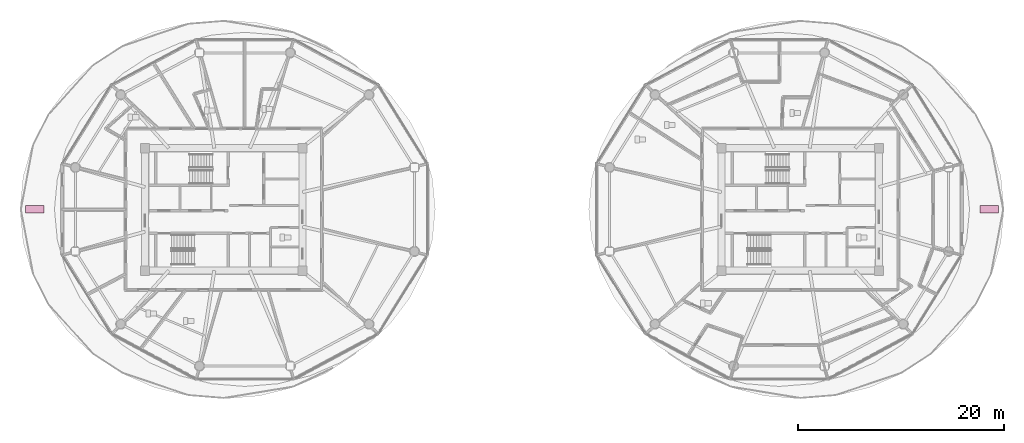
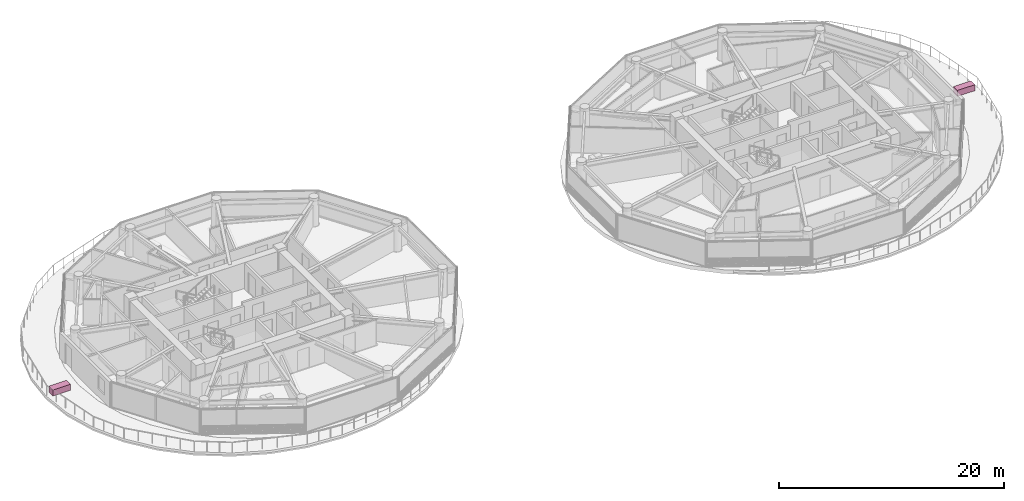
# One storey, part 32 of 32: 2 furnishings.
"""IFC4 building model written with IfcOpenShell, lengths in metres."""

from ifc_helpers import new_model, si_unit, direction, frame, origin, origin_2d, place, context, subcontext, project, spatial, rectangle, extrude, source, transform, mapped, material, type_object, type_shapes, element, save


model = new_model("IFC4")

# Units and contexts
model_context = context("Model", 3, precision=1e-05, world=origin(), true_north=direction((0.0, 1.0)))
body_context = subcontext(model_context, "Body", "Model", "MODEL_VIEW")
ifc_project = project(units=[si_unit("LENGTHUNIT", "METRE"), si_unit("AREAUNIT", "SQUARE_METRE"), si_unit("VOLUMEUNIT", "CUBIC_METRE"), si_unit("PLANEANGLEUNIT", "RADIAN"), si_unit("MASSUNIT", "GRAM", prefix="KILO")], contexts=[model_context])

# Site, building, storey
site_placement = place(None, origin())
site = spatial("IfcSite", under=ifc_project, at=site_placement, CompositionType="ELEMENT")
building_placement = place(site_placement, origin())
building = spatial("IfcBuilding", under=site, at=building_placement, Name="Norrkilde Senior Care Towers", CompositionType="ELEMENT")
storey_placement = place(building_placement, frame((0.0, 0.0, 77.949951171875)))
storey = spatial("IfcBuildingStorey", under=building, at=storey_placement, Name="L23", CompositionType="ELEMENT", Elevation=77.949951171875)

# Furnishings
ifc_material = material(Name="Architectural Terracotta", Category="masonry")
furnishing_element_type = type_object("IfcFurnishingElementType", Name="Nordic Terrace Planter Bed PLANTER", material=ifc_material)
shared_shape = source(origin(), body_context, "Body", "SweptSolid", [
    extrude(rectangle(XDim=1.800048828125, YDim=0.699951171875, at=origin_2d()), origin(), (0.0, 0.0, 1.0), 0.64990234375),
])
type_shapes(furnishing_element_type, [shared_shape])
for number, where, z_axis, x_axis, name in (
    (1, (46.388427734375, 0.00830078125, 0.0), (0.0, 0.0, 1.0), (1.0, 0.0, 0.0), "L23 Nordic Planted Terrace Bed 17"),
    (2, (-46.388427734375, 0.00830078125, 0.0), (0.0, 0.0, 1.0), (1.0, 0.0, 0.0), "L23 Nordic Planted Terrace Bed 18"),
):
    element("IfcFurnishingElement", number, at=place(storey_placement, frame(where, z_axis=z_axis, x_axis=x_axis)), inside=storey, type_object=furnishing_element_type, Name=name, context=body_context, shape_type="MappedRepresentation", body=[
        mapped(shared_shape, transform((0.0, 0.0, 0.0), x_axis=(1.0, 0.0, 0.0), y_axis=(0.0, 1.0, 0.0), z_axis=(0.0, 0.0, 1.0), scale=1.0)),
    ])

save(model, "model.ifc")
